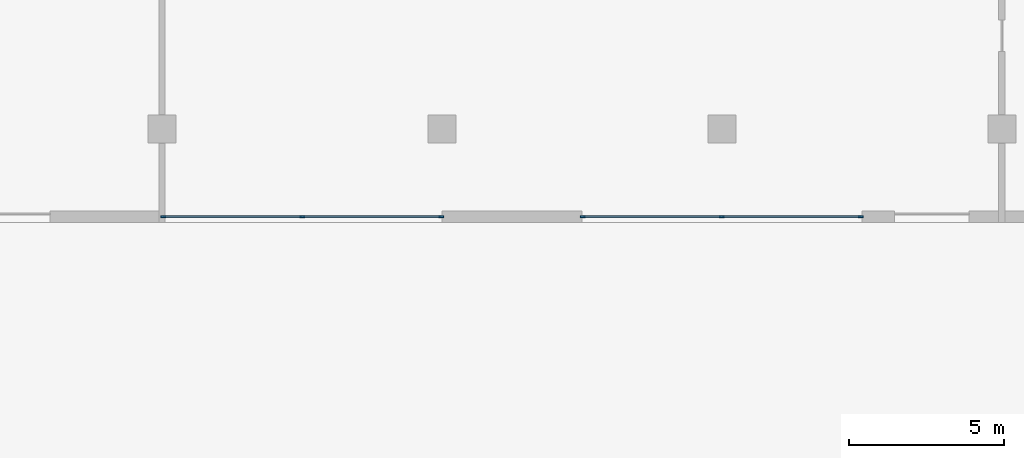
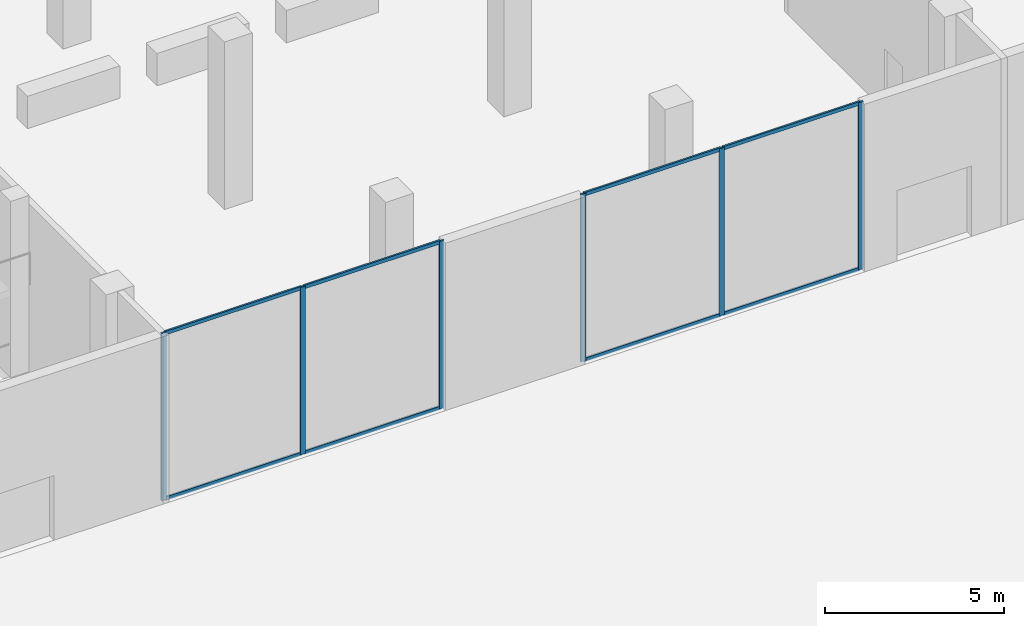
# One storey, part 10 of 55: 14 members, 2 elements without a shape of their own.
"""IFC4 building model written with IfcOpenShell, lengths in metres."""

import ifcopenshell
import ifcopenshell.guid

model = None  # the IFC model being written
_history = None  # IfcOwnerHistory: only IFC2X3 demands one
_inside = {}  # id of a spatial element -> (the spatial element, [elements in it])
_under = {}  # id of a project, library or spatial element -> (it, [spatial elements below it])
_declared = {}  # id of a project -> (the project, [libraries it declares])
_typed = {}  # id of a type object -> (the type object, [elements of that type])
_made_of = {}  # id of a material, layer set ... -> (it, [elements and type objects made of it])


def new_model(schema):
    """Start an empty IFC model of exactly this schema.

    Asked for "IFC4X3", IfcOpenShell would pick the latest addendum, in which some entities
    have other attributes; the version numbers below select the first issue.
    IFC2X3 requires an IfcOwnerHistory on every rooted entity: one is made here for all.
    """
    global model, _history
    if schema == "IFC4X3":
        model = ifcopenshell.file(schema_version=(4, 3, 0, 0))
    else:
        model = ifcopenshell.file(schema=schema)
    _inside.clear()
    _under.clear()
    _declared.clear()
    _typed.clear()
    _made_of.clear()
    _history = None
    if model.schema == "IFC2X3":
        org = make("IfcOrganization", Name="unknown")
        user = make(
            "IfcPersonAndOrganization",
            ThePerson=make("IfcPerson", FamilyName="unknown"),
            TheOrganization=org,
        )
        app = make(
            "IfcApplication",
            ApplicationDeveloper=org,
            Version="unknown",
            ApplicationFullName="unknown",
            ApplicationIdentifier="unknown",
        )
        _history = make(
            "IfcOwnerHistory",
            OwningUser=user,
            OwningApplication=app,
            ChangeAction="ADDED",
            CreationDate=0,
        )
    return model


def make(cls, **values):
    """One entity of the class cls with the attributes given. An attribute that is None is left unset."""
    return model.create_entity(
        cls, **{name: value for name, value in values.items() if value is not None}
    )


def rooted(cls, **values):
    """An entity with a GlobalId (a new one), such as an element, a storey or a relation."""
    return make(cls, GlobalId=ifcopenshell.guid.new(), OwnerHistory=_history, **values)


def si_unit(unit_type, name, prefix=None):
    """IfcSIUnit, for example si_unit("LENGTHUNIT", "METRE", prefix="MILLI")."""
    return make("IfcSIUnit", UnitType=unit_type, Prefix=prefix, Name=name)


def assignment(units):
    """IfcUnitAssignment: the units of a project."""
    return None if units is None else make("IfcUnitAssignment", Units=units)


def point(xyz):
    """IfcCartesianPoint."""
    return None if xyz is None else make("IfcCartesianPoint", Coordinates=xyz)


def direction(xyz):
    """IfcDirection."""
    return None if xyz is None else make("IfcDirection", DirectionRatios=xyz)


def frame(location, z_axis=None, x_axis=None):
    """IfcAxis2Placement3D, a coordinate frame: its origin and axes. An axis left out is left unset."""
    return make(
        "IfcAxis2Placement3D",
        Location=point(location),
        Axis=direction(z_axis),
        RefDirection=direction(x_axis),
    )


def frame_2d(location, x_axis=None):
    """IfcAxis2Placement2D, a coordinate frame in the plane: its origin and x axis."""
    return make(
        "IfcAxis2Placement2D", Location=point(location), RefDirection=direction(x_axis)
    )


def origin():
    """The frame at (0, 0, 0) with its axes left unset."""
    return frame((0.0, 0.0, 0.0))


def origin_2d():
    """The frame at (0, 0) in the plane with its x axis left unset."""
    return frame_2d((0.0, 0.0))


def place(relative_to, where):
    """IfcLocalPlacement: puts the frame where relative to a parent placement (None: the world)."""
    return make(
        "IfcLocalPlacement", PlacementRelTo=relative_to, RelativePlacement=where
    )


def context(
    kind, dimensions, precision=None, world=None, true_north=None, identifier=None
):
    """IfcGeometricRepresentationContext, for example the 3D "Model" context."""
    return make(
        "IfcGeometricRepresentationContext",
        ContextIdentifier=identifier,
        ContextType=kind,
        CoordinateSpaceDimension=dimensions,
        Precision=precision,
        WorldCoordinateSystem=world,
        TrueNorth=true_north,
    )


def subcontext(parent, identifier, kind, view, scale=None):
    """IfcGeometricRepresentationSubContext, for example "Body" below "Model"."""
    return make(
        "IfcGeometricRepresentationSubContext",
        ContextIdentifier=identifier,
        ContextType=kind,
        ParentContext=parent,
        TargetScale=scale,
        TargetView=view,
    )


def project(units=None, contexts=None):
    """IfcProject with its units and contexts."""
    return rooted(
        "IfcProject",
        Name="project",
        RepresentationContexts=contexts,
        UnitsInContext=assignment(units),
    )


def spatial(cls, under=None, at=None, **own):
    """A site, building, storey or space (cls), placed at a placement, below another one or the project."""
    s = rooted(cls, ObjectPlacement=at, **own)
    if under is not None:
        _under.setdefault(under.id(), (under, []))[1].append(s)
    return s


def profile(cls, at=None, kind="AREA", **sizes):
    """A parametric profile (cls). Its sizes go by their IFC names, for example OverallWidth=200.0."""
    return make(cls, ProfileType=kind, Position=at, **sizes)


def rectangle(**sizes):
    """IfcRectangleProfileDef."""
    return profile("IfcRectangleProfileDef", **sizes)


def extrude(swept, where, along, depth):
    """IfcExtrudedAreaSolid: the profile swept, set in the frame where, extruded along a direction by depth."""
    return make(
        "IfcExtrudedAreaSolid",
        SweptArea=swept,
        Position=where,
        ExtrudedDirection=direction(along),
        Depth=depth,
    )


def shape(context_of_items, identifier, shape_type, items):
    """IfcShapeRepresentation: the items that make up one representation, for example the "Body"."""
    return make(
        "IfcShapeRepresentation",
        ContextOfItems=context_of_items,
        RepresentationIdentifier=identifier,
        RepresentationType=shape_type,
        Items=items,
    )


def material(Name=None, Category=None):
    """IfcMaterial."""
    return make("IfcMaterial", Name=Name, Category=Category)


def material_profile(
    of_material, cross_section, Name=None, Category=None, Priority=None
):
    """IfcMaterialProfile: a cross section and its material."""
    return make(
        "IfcMaterialProfile",
        Name=Name,
        Material=of_material,
        Profile=cross_section,
        Priority=Priority,
        Category=Category,
    )


def profile_set(profiles, Name=None, composite=None):
    """IfcMaterialProfileSet."""
    return make(
        "IfcMaterialProfileSet",
        Name=Name,
        MaterialProfiles=profiles,
        CompositeProfile=composite,
    )


def made_of(thing, what):
    """Note that an element or type object is made of a material, layer set ...; save() writes the relation."""
    if what is not None:
        _made_of.setdefault(what.id(), (what, []))[1].append(thing)
    return thing


def type_object(cls, material=None, **own):
    """A type object (cls), such as IfcWallType, which elements share."""
    return made_of(rooted(cls, **own), material)


def element(
    cls,
    number,
    at=None,
    inside=None,
    cuts=None,
    type_object=None,
    material=None,
    context=None,
    identifier="Body",
    shape_type=None,
    held_by="IfcProductDefinitionShape",
    body=None,
    shapes=None,
    **own,
):
    """One element of the class cls, such as IfcWall. Its Tag is "e" and its number.

    at: its placement. inside: the storey or other place that contains it. cuts: it is an
    opening in that element (IfcRelVoidsElement). A single representation is given by context,
    identifier, shape_type and body (its items); several are given by shapes. held_by: the class
    of the entity that holds the representations. save() writes the other relations.
    """
    e = rooted(cls, Tag="e%d" % number, ObjectPlacement=at, **own)
    if body is not None:
        shapes = [shape(context, identifier, shape_type, body)]
    if shapes is not None:
        e.Representation = make(held_by, Representations=shapes)
    if inside is not None:
        _inside.setdefault(inside.id(), (inside, []))[1].append(e)
    if cuts is not None:
        rooted(
            "IfcRelVoidsElement", RelatingBuildingElement=cuts, RelatedOpeningElement=e
        )
    if type_object is not None:
        _typed.setdefault(type_object.id(), (type_object, []))[1].append(e)
    return made_of(e, material)


def aggregate(whole, parts):
    """IfcRelAggregates: a whole, such as a stair, and the parts it consists of."""
    return rooted("IfcRelAggregates", RelatingObject=whole, RelatedObjects=parts)


def save(model, path):
    """Write the relations noted so far, then the file.

    IfcRelAggregates (storeys below a building ...), IfcRelContainedInSpatialStructure (elements
    in a storey), IfcRelDefinesByType, IfcRelAssociatesMaterial and IfcRelDeclares: one each for
    every whole, place, type object, material and project.
    """
    for whole, parts in _under.values():
        aggregate(whole, parts)
    for where, things in _inside.values():
        rooted(
            "IfcRelContainedInSpatialStructure",
            RelatedElements=things,
            RelatingStructure=where,
        )
    for kind, things in _typed.values():
        rooted("IfcRelDefinesByType", RelatedObjects=things, RelatingType=kind)
    for what, things in _made_of.values():
        rooted("IfcRelAssociatesMaterial", RelatedObjects=things, RelatingMaterial=what)
    for by, libraries in _declared.values():
        rooted("IfcRelDeclares", RelatingContext=by, RelatedDefinitions=libraries)
    model.write(path)


model = new_model("IFC4")

# Units and contexts
model_context = context("Model", 3, precision=1e-05, world=origin(), true_north=direction((0.0, 1.0)))
body_context = subcontext(model_context, "Body", "Model", "MODEL_VIEW")
ifc_project = project(units=[si_unit("LENGTHUNIT", "METRE"), si_unit("AREAUNIT", "SQUARE_METRE"), si_unit("VOLUMEUNIT", "CUBIC_METRE"), si_unit("PLANEANGLEUNIT", "RADIAN"), si_unit("MASSUNIT", "GRAM", prefix="KILO")], contexts=[model_context])

# Site, building, storey
site_placement = place(None, origin())
site = spatial("IfcSite", under=ifc_project, at=site_placement, CompositionType="ELEMENT")
building_placement = place(site_placement, origin())
building = spatial("IfcBuilding", under=site, at=building_placement, Name="Cinnabar Reach Civic Tower", CompositionType="ELEMENT")
storey_placement = place(building_placement, origin())
storey = spatial("IfcBuildingStorey", under=building, at=storey_placement, Name="L00", CompositionType="ELEMENT", Elevation=0.0)

# Curtain wall, members
ifc_material_1 = material(Name="Aluminium and clear double glazing", Category="aluminium")
curtain_wall_type = type_object("IfcCurtainWallType", Name="Hall front curtain wall", PredefinedType="NOTDEFINED", material=ifc_material_1)
curtain_wall_1_placement = place(storey_placement, origin())
curtain_wall_1 = element("IfcCurtainWall", 1, at=curtain_wall_1_placement, inside=storey, type_object=curtain_wall_type, Name="Hall front 1", PredefinedType="NOTDEFINED")
ifc_material_2 = material(Name="Aluminium", Category="aluminium")
ifc_material_profile_1 = material_profile(ifc_material_2, rectangle(XDim=0.06, YDim=0.16, at=origin_2d()), Name="Hall front mullion")
ifc_profile_set_1 = profile_set([ifc_material_profile_1], Name="Aluminium")
member_type_1 = type_object("IfcMemberType", Name="Hall front mullion", PredefinedType="MULLION", material=ifc_profile_set_1)
member_1_placement = place(storey_placement, frame((-26.97, -11.82, 0.0), z_axis=(0.0, 0.0, 1.0), x_axis=(0.0, 1.0, 0.0)))
member_1 = element("IfcMember", 2, at=member_1_placement, type_object=member_type_1, Name="CW-HALL-1 mullion 1", PredefinedType="MULLION", context=body_context, shape_type="SweptSolid", body=[
    extrude(rectangle(XDim=0.06, YDim=0.16, at=origin_2d()), origin(), (0.0, 0.0, 1.0), 5.7),
])
member_2_placement = place(storey_placement, frame((-22.5, -11.82, 0.0), z_axis=(0.0, 0.0, 1.0), x_axis=(0.0, 1.0, 0.0)))
member_2 = element("IfcMember", 3, at=member_2_placement, type_object=member_type_1, Name="CW-HALL-1 mullion 2", PredefinedType="MULLION", context=body_context, shape_type="SweptSolid", body=[
    extrude(rectangle(XDim=0.06, YDim=0.16, at=origin_2d()), origin(), (0.0, 0.0, 1.0), 5.7),
])
member_3_placement = place(storey_placement, frame((-18.03, -11.82, 0.0), z_axis=(0.0, 0.0, 1.0), x_axis=(0.0, 1.0, 0.0)))
member_3 = element("IfcMember", 4, at=member_3_placement, type_object=member_type_1, Name="CW-HALL-1 mullion 3", PredefinedType="MULLION", context=body_context, shape_type="SweptSolid", body=[
    extrude(rectangle(XDim=0.06, YDim=0.16, at=origin_2d()), origin(), (0.0, 0.0, 1.0), 5.7),
])

curtain_wall_2_placement = place(storey_placement, origin())
curtain_wall_2 = element("IfcCurtainWall", 5, at=curtain_wall_2_placement, inside=storey, type_object=curtain_wall_type, Name="Hall front 2", PredefinedType="NOTDEFINED")
member_4_placement = place(storey_placement, frame((-13.47, -11.82, 0.0), z_axis=(0.0, 0.0, 1.0), x_axis=(0.0, 1.0, 0.0)))
member_4 = element("IfcMember", 6, at=member_4_placement, type_object=member_type_1, Name="CW-HALL-2 mullion 1", PredefinedType="MULLION", context=body_context, shape_type="SweptSolid", body=[
    extrude(rectangle(XDim=0.06, YDim=0.16, at=origin_2d()), origin(), (0.0, 0.0, 1.0), 5.7),
])
member_5_placement = place(storey_placement, frame((-9.0, -11.82, 0.0), z_axis=(0.0, 0.0, 1.0), x_axis=(0.0, 1.0, 0.0)))
member_5 = element("IfcMember", 7, at=member_5_placement, type_object=member_type_1, Name="CW-HALL-2 mullion 2", PredefinedType="MULLION", context=body_context, shape_type="SweptSolid", body=[
    extrude(rectangle(XDim=0.06, YDim=0.16, at=origin_2d()), origin(), (0.0, 0.0, 1.0), 5.7),
])
member_6_placement = place(storey_placement, frame((-4.53, -11.82, 0.0), z_axis=(0.0, 0.0, 1.0), x_axis=(0.0, 1.0, 0.0)))
member_6 = element("IfcMember", 8, at=member_6_placement, type_object=member_type_1, Name="CW-HALL-2 mullion 3", PredefinedType="MULLION", context=body_context, shape_type="SweptSolid", body=[
    extrude(rectangle(XDim=0.06, YDim=0.16, at=origin_2d()), origin(), (0.0, 0.0, 1.0), 5.7),
])

# Member
ifc_material_profile_2 = material_profile(ifc_material_2, rectangle(XDim=0.06, YDim=0.12, at=origin_2d()), Name="Hall front transom")
ifc_profile_set_2 = profile_set([ifc_material_profile_2], Name="Aluminium")
member_type_2 = type_object("IfcMemberType", Name="Hall front transom", PredefinedType="USERDEFINED", material=ifc_profile_set_2)
member_7_placement = place(storey_placement, frame((-26.94, -11.82, 0.03), z_axis=(1.0, 0.0, 0.0), x_axis=(0.0, 1.0, 0.0)))
member_7 = element("IfcMember", 9, at=member_7_placement, type_object=member_type_2, Name="CW-HALL-1 transom 1.1", ObjectType="TRANSOM", PredefinedType="USERDEFINED", context=body_context, shape_type="SweptSolid", body=[
    extrude(rectangle(XDim=0.06, YDim=0.12, at=origin_2d()), origin(), (0.0, 0.0, 1.0), 4.41),
])

member_8_placement = place(storey_placement, frame((-26.94, -11.82, 5.67), z_axis=(1.0, 0.0, 0.0), x_axis=(0.0, 1.0, 0.0)))
member_8 = element("IfcMember", 10, at=member_8_placement, type_object=member_type_2, Name="CW-HALL-1 transom 1.2", ObjectType="TRANSOM", PredefinedType="USERDEFINED", context=body_context, shape_type="SweptSolid", body=[
    extrude(rectangle(XDim=0.06, YDim=0.12, at=origin_2d()), origin(), (0.0, 0.0, 1.0), 4.41),
])

member_9_placement = place(storey_placement, frame((-22.47, -11.82, 0.03), z_axis=(1.0, 0.0, 0.0), x_axis=(0.0, 1.0, 0.0)))
member_9 = element("IfcMember", 11, at=member_9_placement, type_object=member_type_2, Name="CW-HALL-1 transom 2.1", ObjectType="TRANSOM", PredefinedType="USERDEFINED", context=body_context, shape_type="SweptSolid", body=[
    extrude(rectangle(XDim=0.06, YDim=0.12, at=origin_2d()), origin(), (0.0, 0.0, 1.0), 4.41),
])

member_10_placement = place(storey_placement, frame((-22.47, -11.82, 5.67), z_axis=(1.0, 0.0, 0.0), x_axis=(0.0, 1.0, 0.0)))
member_10 = element("IfcMember", 12, at=member_10_placement, type_object=member_type_2, Name="CW-HALL-1 transom 2.2", ObjectType="TRANSOM", PredefinedType="USERDEFINED", context=body_context, shape_type="SweptSolid", body=[
    extrude(rectangle(XDim=0.06, YDim=0.12, at=origin_2d()), origin(), (0.0, 0.0, 1.0), 4.41),
])

aggregate(curtain_wall_1, [member_1, member_2, member_3, member_7, member_8, member_9, member_10])

member_11_placement = place(storey_placement, frame((-13.44, -11.82, 0.03), z_axis=(1.0, 0.0, 0.0), x_axis=(0.0, 1.0, 0.0)))
member_11 = element("IfcMember", 13, at=member_11_placement, type_object=member_type_2, Name="CW-HALL-2 transom 1.1", ObjectType="TRANSOM", PredefinedType="USERDEFINED", context=body_context, shape_type="SweptSolid", body=[
    extrude(rectangle(XDim=0.06, YDim=0.12, at=origin_2d()), origin(), (0.0, 0.0, 1.0), 4.41),
])

member_12_placement = place(storey_placement, frame((-13.44, -11.82, 5.67), z_axis=(1.0, 0.0, 0.0), x_axis=(0.0, 1.0, 0.0)))
member_12 = element("IfcMember", 14, at=member_12_placement, type_object=member_type_2, Name="CW-HALL-2 transom 1.2", ObjectType="TRANSOM", PredefinedType="USERDEFINED", context=body_context, shape_type="SweptSolid", body=[
    extrude(rectangle(XDim=0.06, YDim=0.12, at=origin_2d()), origin(), (0.0, 0.0, 1.0), 4.41),
])

member_13_placement = place(storey_placement, frame((-8.97, -11.82, 0.03), z_axis=(1.0, 0.0, 0.0), x_axis=(0.0, 1.0, 0.0)))
member_13 = element("IfcMember", 15, at=member_13_placement, type_object=member_type_2, Name="CW-HALL-2 transom 2.1", ObjectType="TRANSOM", PredefinedType="USERDEFINED", context=body_context, shape_type="SweptSolid", body=[
    extrude(rectangle(XDim=0.06, YDim=0.12, at=origin_2d()), origin(), (0.0, 0.0, 1.0), 4.41),
])

member_14_placement = place(storey_placement, frame((-8.97, -11.82, 5.67), z_axis=(1.0, 0.0, 0.0), x_axis=(0.0, 1.0, 0.0)))
member_14 = element("IfcMember", 16, at=member_14_placement, type_object=member_type_2, Name="CW-HALL-2 transom 2.2", ObjectType="TRANSOM", PredefinedType="USERDEFINED", context=body_context, shape_type="SweptSolid", body=[
    extrude(rectangle(XDim=0.06, YDim=0.12, at=origin_2d()), origin(), (0.0, 0.0, 1.0), 4.41),
])

aggregate(curtain_wall_2, [member_4, member_5, member_6, member_11, member_12, member_13, member_14])

save(model, "model.ifc")
